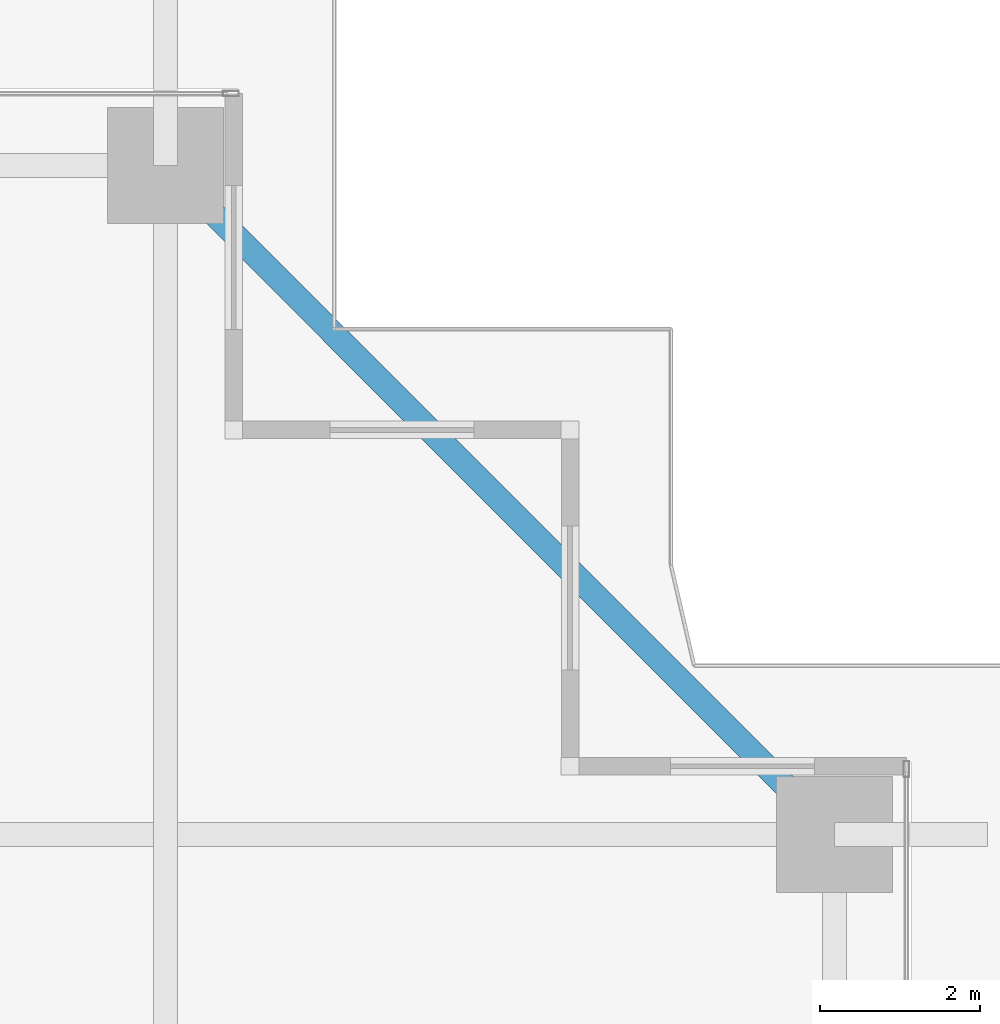
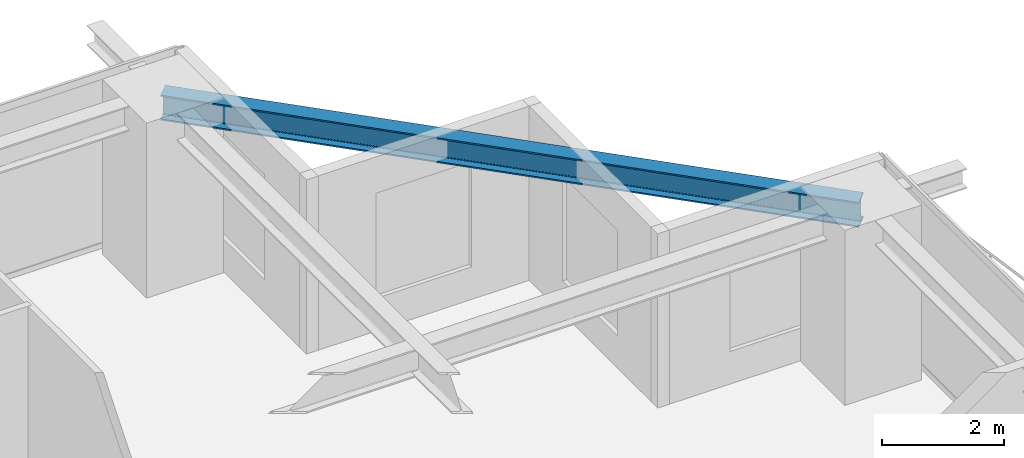
# One storey, part 24 of 39: 1 beam.
"""IFC4 building model written with IfcOpenShell, lengths in metres."""

from ifc_helpers import new_model, si_unit, direction, frame, origin, origin_2d, place, context, subcontext, project, spatial, i_section, extrude, source, transform, mapped, material, material_profile, profile_set, type_object, element, save


model = new_model("IFC4")

# Units and contexts
model_context = context("Model", 3, precision=1e-05, world=origin(), true_north=direction((0.0, 1.0)))
body_context = subcontext(model_context, "Body", "Model", "MODEL_VIEW")
ifc_project = project(units=[si_unit("LENGTHUNIT", "METRE"), si_unit("AREAUNIT", "SQUARE_METRE"), si_unit("VOLUMEUNIT", "CUBIC_METRE"), si_unit("PLANEANGLEUNIT", "RADIAN"), si_unit("MASSUNIT", "GRAM", prefix="KILO")], contexts=[model_context])

# Site, building, storey
site_placement = place(None, origin())
site = spatial("IfcSite", under=ifc_project, at=site_placement, CompositionType="ELEMENT")
building_placement = place(site_placement, origin())
building = spatial("IfcBuilding", under=site, at=building_placement, Name="Serunith Strait Residences", CompositionType="ELEMENT")
storey_placement = place(building_placement, frame((0.0, 0.0, 97.949951171875)))
storey = spatial("IfcBuildingStorey", under=building, at=storey_placement, Name="L24", CompositionType="ELEMENT", Elevation=97.949951171875)

# Beam
ifc_material = material(Name="Steel S355J2", Category="steel")
ifc_material_profile = material_profile(ifc_material, i_section(OverallWidth=0.300048828125, OverallDepth=0.5, WebThickness=0.014404296875, FlangeThickness=0.028076171875, FilletRadius=0.027099609375, at=origin_2d()), Name="HEB 500")
ifc_profile_set = profile_set([ifc_material_profile], Name="Steel S355J2")
beam_type = type_object("IfcBeamType", Name="BM-HEB500", PredefinedType="BEAM", material=ifc_profile_set)
shared_shape = source(origin(), body_context, "Body", "SweptSolid", [
    extrude(i_section(OverallWidth=0.300048828125, OverallDepth=0.5, WebThickness=0.014404296875, FlangeThickness=0.028076171875, FilletRadius=0.027099609375, at=origin_2d()), origin(), (0.0, 0.0, 1.0), 11.80859375),
])
beam_placement = place(storey_placement, frame((57.89990234375, 40.949951171875, 3.20703125), z_axis=(-0.707096443746, 0.707117118476, 0.0), x_axis=(-0.707117118476, -0.707096443746, 0.0)))
element("IfcBeam", 1, at=beam_placement, inside=storey, type_object=beam_type, Name="L24 Perimeter Ring Beam 08", PredefinedType="BEAM", context=body_context, shape_type="MappedRepresentation", body=[
    mapped(shared_shape, transform((0.0, 0.0, 0.0), scale=1.0)),
])

save(model, "model.ifc")
